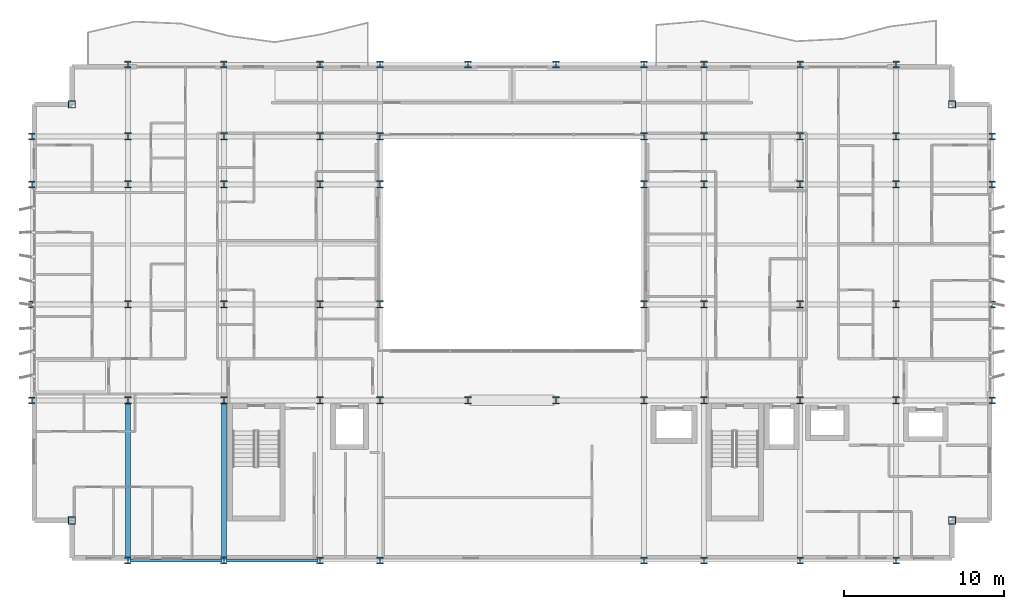
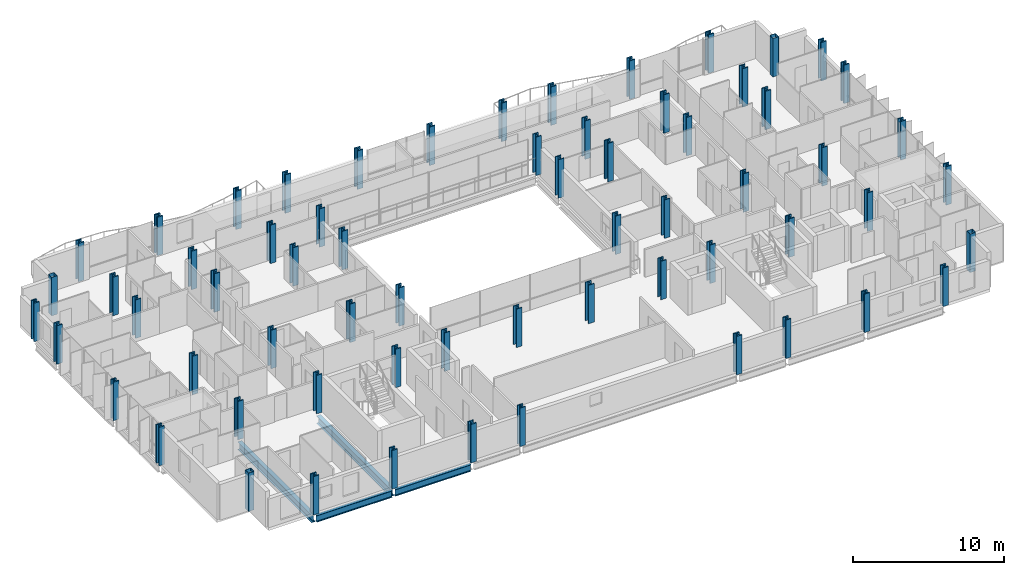
# One storey, part 1 of 38: 64 columns, 4 beams.
"""IFC4 building model written with IfcOpenShell, lengths in metres."""

from ifc_helpers import new_model, si_unit, direction, frame, origin, origin_2d, place, context, subcontext, project, spatial, hollow_rectangle, i_section, extrude, material, material_profile, profile_set, type_object, element, save


model = new_model("IFC4")

# Units and contexts
model_context = context("Model", 3, precision=1e-05, world=origin(), true_north=direction((0.0, 1.0)))
body_context = subcontext(model_context, "Body", "Model", "MODEL_VIEW")
ifc_project = project(units=[si_unit("LENGTHUNIT", "METRE"), si_unit("AREAUNIT", "SQUARE_METRE"), si_unit("VOLUMEUNIT", "CUBIC_METRE"), si_unit("PLANEANGLEUNIT", "RADIAN"), si_unit("MASSUNIT", "GRAM", prefix="KILO")], contexts=[model_context])

# Site, building, storey
site_placement = place(None, origin())
site = spatial("IfcSite", under=ifc_project, at=site_placement, CompositionType="ELEMENT")
building_placement = place(site_placement, origin())
building = spatial("IfcBuilding", under=site, at=building_placement, Name="Brevholm Reach", CompositionType="ELEMENT")
storey_placement = place(building_placement, frame((0.0, 0.0, 46.60009765625)))
storey = spatial("IfcBuildingStorey", under=building, at=storey_placement, Name="L12", CompositionType="ELEMENT", Elevation=46.60009765625)

# Columns
ifc_material_1 = material(Name="Structural Steel S460ML", Category="steel")
ifc_material_profile_1 = material_profile(ifc_material_1, i_section(OverallWidth=0.4140625, OverallDepth=0.444091796875, WebThickness=0.060546875, FlangeThickness=0.096923828125, FilletRadius=0.014892578125, at=origin_2d()), Name="HD 400x818")
ifc_profile_set_1 = profile_set([ifc_material_profile_1], Name="Structural Steel S460ML")
column_type_1 = type_object("IfcColumnType", Name="COL-HD2", PredefinedType="COLUMN", material=ifc_profile_set_1)
for number, where, z_axis, x_axis, name in (
    (1, (0.0, 10.0, 0.0), (0.0, 0.0, 1.0), (1.0, 0.0, 0.0), "L12 Column 01"),
    (2, (0.0, 16.0, 0.0), (0.0, 0.0, 1.0), (1.0, 0.0, 0.0), "L12 Column 02"),
    (3, (0.0, 23.5, 0.0), (0.0, 0.0, 1.0), (1.0, 0.0, 0.0), "L12 Column 03"),
    (4, (0.0, 26.5, 0.0), (0.0, 0.0, 1.0), (1.0, 0.0, 0.0), "L12 Column 04"),
    (5, (6.0, 0.0, 0.0), (0.0, 0.0, 1.0), (1.0, 0.0, 0.0), "L12 Column 07"),
    (6, (6.0, 31.0, 0.0), (0.0, 0.0, 1.0), (1.0, 0.0, 0.0), "L12 Column 12"),
    (7, (12.0, 0.0, 0.0), (0.0, 0.0, 1.0), (1.0, 0.0, 0.0), "L12 Column 13"),
    (8, (12.0, 31.0, 0.0), (0.0, 0.0, 1.0), (1.0, 0.0, 0.0), "L12 Column 18"),
    (9, (18.0, 0.0, 0.0), (0.0, 0.0, 1.0), (1.0, 0.0, 0.0), "L12 Column 19"),
    (10, (18.0, 31.0, 0.0), (0.0, 0.0, 1.0), (1.0, 0.0, 0.0), "L12 Column 24"),
    (11, (21.75, 0.0, 0.0), (0.0, 0.0, 1.0), (1.0, 0.0, 0.0), "L12 Column 25"),
    (12, (21.75, 31.0, 0.0), (0.0, 0.0, 1.0), (1.0, 0.0, 0.0), "L12 Column 30"),
    (13, (27.25, 31.0, 0.0), (0.0, 0.0, 1.0), (1.0, 0.0, 0.0), "L12 Column 32"),
    (14, (32.75, 31.0, 0.0), (0.0, 0.0, 1.0), (1.0, 0.0, 0.0), "L12 Column 34"),
    (15, (38.25, 0.0, 0.0), (0.0, 0.0, 1.0), (1.0, 0.0, 0.0), "L12 Column 35"),
    (16, (38.25, 31.0, 0.0), (0.0, 0.0, 1.0), (1.0, 0.0, 0.0), "L12 Column 40"),
    (17, (42.0, 0.0, 0.0), (0.0, 0.0, 1.0), (1.0, 0.0, 0.0), "L12 Column 41"),
    (18, (42.0, 31.0, 0.0), (0.0, 0.0, 1.0), (1.0, 0.0, 0.0), "L12 Column 46"),
    (19, (48.0, 0.0, 0.0), (0.0, 0.0, 1.0), (1.0, 0.0, 0.0), "L12 Column 47"),
    (20, (48.0, 31.0, 0.0), (0.0, 0.0, 1.0), (1.0, 0.0, 0.0), "L12 Column 52"),
    (21, (54.0, 0.0, 0.0), (0.0, 0.0, 1.0), (1.0, 0.0, 0.0), "L12 Column 53"),
    (22, (54.0, 31.0, 0.0), (0.0, 0.0, 1.0), (1.0, 0.0, 0.0), "L12 Column 58"),
    (23, (60.0, 10.0, 0.0), (0.0, 0.0, 1.0), (1.0, 0.0, 0.0), "L12 Column 61"),
    (24, (60.0, 16.0, 0.0), (0.0, 0.0, 1.0), (1.0, 0.0, 0.0), "L12 Column 62"),
    (25, (60.0, 23.5, 0.0), (0.0, 0.0, 1.0), (1.0, 0.0, 0.0), "L12 Column 63"),
    (26, (60.0, 26.5, 0.0), (0.0, 0.0, 1.0), (1.0, 0.0, 0.0), "L12 Column 64"),
):
    element("IfcColumn", number, at=place(storey_placement, frame(where, z_axis=z_axis, x_axis=x_axis)), inside=storey, type_object=column_type_1, Name=name, PredefinedType="COLUMN", context=body_context, shape_type="SweptSolid", body=[
        extrude(i_section(OverallWidth=0.4140625, OverallDepth=0.444091796875, WebThickness=0.060546875, FlangeThickness=0.096923828125, FilletRadius=0.014892578125, at=origin_2d()), origin(), (0.0, 0.0, 1.0), 3.099853515625),
    ])
ifc_material_2 = material(Name="Structural Steel S460NH", Category="steel")
ifc_material_profile_2 = material_profile(ifc_material_2, hollow_rectangle(XDim=0.449951171875, YDim=0.449951171875, WallThickness=0.02490234375, InnerFilletRadius=0.011962890625, OuterFilletRadius=0.02392578125, at=origin_2d()), Name="SHS 450x450x25")
ifc_profile_set_2 = profile_set([ifc_material_profile_2], Name="Structural Steel S460NH")
column_type_2 = type_object("IfcColumnType", Name="COL-SHS1", PredefinedType="COLUMN", material=ifc_profile_set_2)
for number, where, z_axis, x_axis, name in (
    (27, (2.5, 2.5, 0.0), (0.0, 0.0, 1.0), (1.0, 0.0, 0.0), "L12 Column 05"),
    (28, (2.5, 28.5, 0.0), (0.0, 0.0, 1.0), (1.0, 0.0, 0.0), "L12 Column 06"),
    (29, (57.5, 2.5, 0.0), (0.0, 0.0, 1.0), (1.0, 0.0, 0.0), "L12 Column 59"),
    (30, (57.5, 28.5, 0.0), (0.0, 0.0, 1.0), (1.0, 0.0, 0.0), "L12 Column 60"),
):
    element("IfcColumn", number, at=place(storey_placement, frame(where, z_axis=z_axis, x_axis=x_axis)), inside=storey, type_object=column_type_2, Name=name, PredefinedType="COLUMN", context=body_context, shape_type="SweptSolid", body=[
        extrude(hollow_rectangle(XDim=0.449951171875, YDim=0.449951171875, WallThickness=0.02490234375, InnerFilletRadius=0.011962890625, OuterFilletRadius=0.02392578125, at=origin_2d()), origin(), (0.0, 0.0, 1.0), 3.099853515625),
    ])
ifc_material_3 = material(Name="Structural Steel S460ML", Category="steel")
ifc_material_profile_3 = material_profile(ifc_material_3, i_section(OverallWidth=0.424072265625, OverallDepth=0.474609375, WebThickness=0.047607421875, FlangeThickness=0.076904296875, FilletRadius=0.01513671875, at=origin_2d()), Name="UKC 356x406x634")
ifc_profile_set_3 = profile_set([ifc_material_profile_3], Name="Structural Steel S460ML")
column_type_3 = type_object("IfcColumnType", Name="COL-UC1", PredefinedType="COLUMN", material=ifc_profile_set_3)
for number, where, z_axis, x_axis, name in (
    (31, (6.0, 10.0, 0.0), (0.0, 0.0, 1.0), (1.0, 0.0, 0.0), "L12 Column 08"),
    (32, (6.0, 16.0, 0.0), (0.0, 0.0, 1.0), (1.0, 0.0, 0.0), "L12 Column 09"),
    (33, (6.0, 23.5, 0.0), (0.0, 0.0, 1.0), (1.0, 0.0, 0.0), "L12 Column 10"),
    (34, (6.0, 26.5, 0.0), (0.0, 0.0, 1.0), (1.0, 0.0, 0.0), "L12 Column 11"),
    (35, (12.0, 10.0, 0.0), (0.0, 0.0, 1.0), (1.0, 0.0, 0.0), "L12 Column 14"),
    (36, (12.0, 16.0, 0.0), (0.0, 0.0, 1.0), (1.0, 0.0, 0.0), "L12 Column 15"),
    (37, (12.0, 23.5, 0.0), (0.0, 0.0, 1.0), (1.0, 0.0, 0.0), "L12 Column 16"),
    (38, (12.0, 26.5, 0.0), (0.0, 0.0, 1.0), (1.0, 0.0, 0.0), "L12 Column 17"),
    (39, (18.0, 10.0, 0.0), (0.0, 0.0, 1.0), (1.0, 0.0, 0.0), "L12 Column 20"),
    (40, (18.0, 16.0, 0.0), (0.0, 0.0, 1.0), (1.0, 0.0, 0.0), "L12 Column 21"),
    (41, (18.0, 23.5, 0.0), (0.0, 0.0, 1.0), (1.0, 0.0, 0.0), "L12 Column 22"),
    (42, (18.0, 26.5, 0.0), (0.0, 0.0, 1.0), (1.0, 0.0, 0.0), "L12 Column 23"),
    (43, (21.75, 10.0, 0.0), (0.0, 0.0, 1.0), (1.0, 0.0, 0.0), "L12 Column 26"),
    (44, (21.75, 16.0, 0.0), (0.0, 0.0, 1.0), (1.0, 0.0, 0.0), "L12 Column 27"),
    (45, (21.75, 23.5, 0.0), (0.0, 0.0, 1.0), (1.0, 0.0, 0.0), "L12 Column 28"),
    (46, (21.75, 26.5, 0.0), (0.0, 0.0, 1.0), (1.0, 0.0, 0.0), "L12 Column 29"),
    (47, (27.25, 10.0, 0.0), (0.0, 0.0, 1.0), (1.0, 0.0, 0.0), "L12 Column 31"),
    (48, (32.75, 10.0, 0.0), (0.0, 0.0, 1.0), (1.0, 0.0, 0.0), "L12 Column 33"),
    (49, (38.25, 10.0, 0.0), (0.0, 0.0, 1.0), (1.0, 0.0, 0.0), "L12 Column 36"),
    (50, (38.25, 16.0, 0.0), (0.0, 0.0, 1.0), (1.0, 0.0, 0.0), "L12 Column 37"),
    (51, (38.25, 23.5, 0.0), (0.0, 0.0, 1.0), (1.0, 0.0, 0.0), "L12 Column 38"),
    (52, (38.25, 26.5, 0.0), (0.0, 0.0, 1.0), (1.0, 0.0, 0.0), "L12 Column 39"),
    (53, (42.0, 10.0, 0.0), (0.0, 0.0, 1.0), (1.0, 0.0, 0.0), "L12 Column 42"),
    (54, (42.0, 16.0, 0.0), (0.0, 0.0, 1.0), (1.0, 0.0, 0.0), "L12 Column 43"),
    (55, (42.0, 23.5, 0.0), (0.0, 0.0, 1.0), (1.0, 0.0, 0.0), "L12 Column 44"),
    (56, (42.0, 26.5, 0.0), (0.0, 0.0, 1.0), (1.0, 0.0, 0.0), "L12 Column 45"),
    (57, (48.0, 10.0, 0.0), (0.0, 0.0, 1.0), (1.0, 0.0, 0.0), "L12 Column 48"),
    (58, (48.0, 16.0, 0.0), (0.0, 0.0, 1.0), (1.0, 0.0, 0.0), "L12 Column 49"),
    (59, (48.0, 23.5, 0.0), (0.0, 0.0, 1.0), (1.0, 0.0, 0.0), "L12 Column 50"),
    (60, (48.0, 26.5, 0.0), (0.0, 0.0, 1.0), (1.0, 0.0, 0.0), "L12 Column 51"),
    (61, (54.0, 10.0, 0.0), (0.0, 0.0, 1.0), (1.0, 0.0, 0.0), "L12 Column 54"),
    (62, (54.0, 16.0, 0.0), (0.0, 0.0, 1.0), (1.0, 0.0, 0.0), "L12 Column 55"),
    (63, (54.0, 23.5, 0.0), (0.0, 0.0, 1.0), (1.0, 0.0, 0.0), "L12 Column 56"),
    (64, (54.0, 26.5, 0.0), (0.0, 0.0, 1.0), (1.0, 0.0, 0.0), "L12 Column 57"),
):
    element("IfcColumn", number, at=place(storey_placement, frame(where, z_axis=z_axis, x_axis=x_axis)), inside=storey, type_object=column_type_3, Name=name, PredefinedType="COLUMN", context=body_context, shape_type="SweptSolid", body=[
        extrude(i_section(OverallWidth=0.424072265625, OverallDepth=0.474609375, WebThickness=0.047607421875, FlangeThickness=0.076904296875, FilletRadius=0.01513671875, at=origin_2d()), origin(), (0.0, 0.0, 1.0), 3.099853515625),
    ])

# Beams
ifc_material_4 = material(Name="Structural Steel S355J2", Category="steel")
ifc_material_profile_4 = material_profile(ifc_material_4, i_section(OverallWidth=0.210693359375, OverallDepth=0.53955078125, WebThickness=0.01171875, FlangeThickness=0.018798828125, FilletRadius=0.0126953125, at=origin_2d()), Name="UKB 533x210x109")
ifc_profile_set_4 = profile_set([ifc_material_profile_4], Name="Structural Steel S355J2")
beam_type_1 = type_object("IfcBeamType", Name="BM-SP539", PredefinedType="SPANDREL", material=ifc_profile_set_4)
for number, where, z_axis, x_axis, name in (
    (65, (6.1201171875, 0.0, -0.499755859375), (1.0, 0.0, 0.0), (0.0, 1.0, 0.0), "L12 SP-01B Framing Beam"),
    (66, (12.1201171875, 0.0, -0.499755859375), (1.0, 0.0, 0.0), (0.0, 1.0, 0.0), "L12 SP-01B Framing Beam"),
):
    element("IfcBeam", number, at=place(storey_placement, frame(where, z_axis=z_axis, x_axis=x_axis)), inside=storey, type_object=beam_type_1, Name=name, PredefinedType="SPANDREL", context=body_context, shape_type="SweptSolid", body=[
        extrude(i_section(OverallWidth=0.210693359375, OverallDepth=0.53955078125, WebThickness=0.01171875, FlangeThickness=0.018798828125, FilletRadius=0.0126953125, at=origin_2d()), origin(), (0.0, 0.0, 1.0), 5.759765625),
    ])
ifc_material_5 = material(Name="Structural Steel S355J2", Category="steel")
ifc_material_profile_5 = material_profile(ifc_material_5, i_section(OverallWidth=0.30712890625, OverallDepth=0.6201171875, WebThickness=0.01416015625, FlangeThickness=0.023681640625, FilletRadius=0.0166015625, at=origin_2d()), Name="UKB 610x305x179")
ifc_profile_set_5 = profile_set([ifc_material_profile_5], Name="Structural Steel S355J2")
beam_type_2 = type_object("IfcBeamType", Name="BM-UKB610H", PredefinedType="USERDEFINED", material=ifc_profile_set_5)
for number, where, z_axis, x_axis, name in (
    (67, (6.0, 0.1201171875, -0.540283203125), (0.0, 1.0, 0.0), (-1.0, 0.0, 0.0), "L12 G-06 Framing Beam"),
    (68, (12.0, 0.1201171875, -0.540283203125), (0.0, 1.0, 0.0), (-1.0, 0.0, 0.0), "L12 G-06 Framing Beam"),
):
    element("IfcBeam", number, at=place(storey_placement, frame(where, z_axis=z_axis, x_axis=x_axis)), inside=storey, type_object=beam_type_2, Name=name, ObjectType="GIRDER", PredefinedType="USERDEFINED", context=body_context, shape_type="SweptSolid", body=[
        extrude(i_section(OverallWidth=0.30712890625, OverallDepth=0.6201171875, WebThickness=0.01416015625, FlangeThickness=0.023681640625, FilletRadius=0.0166015625, at=origin_2d()), origin(), (0.0, 0.0, 1.0), 9.759765625),
    ])

save(model, "model.ifc")
